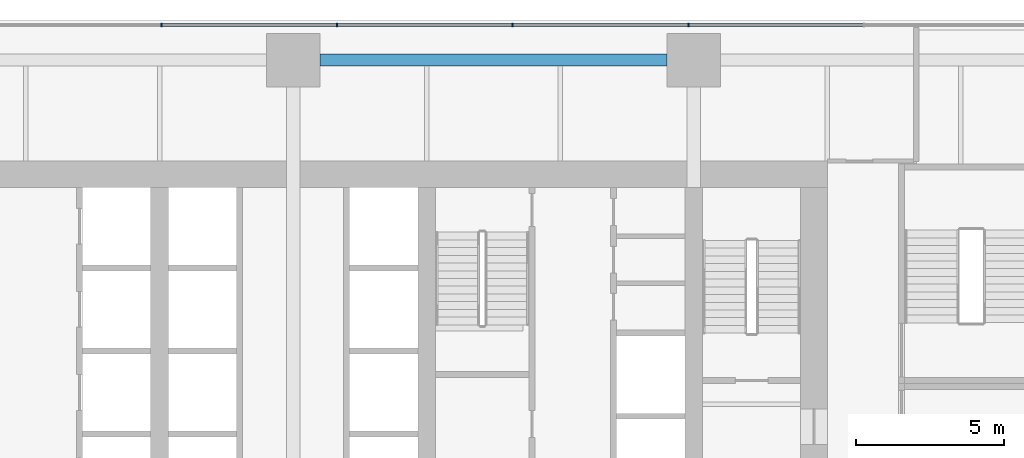
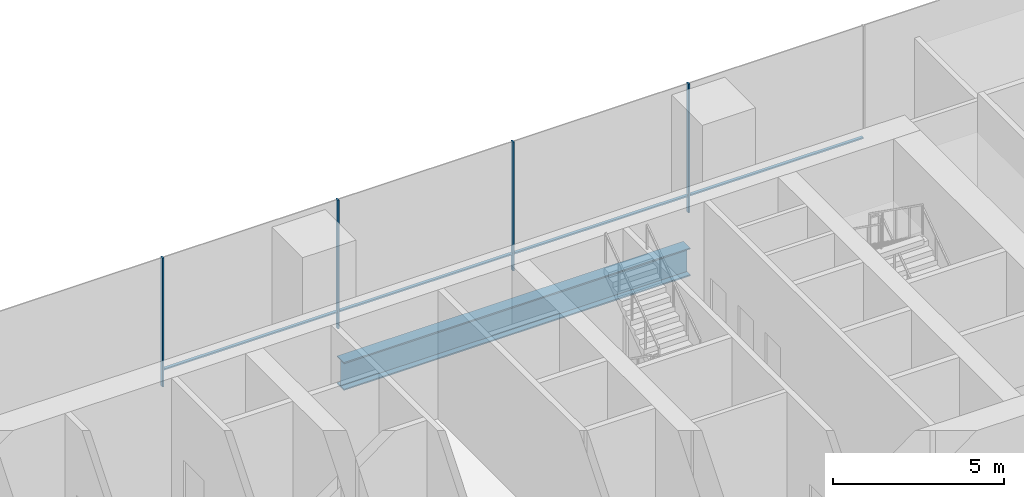
# One storey, part 13 of 29: 8 members, 1 beam, 1 element without a shape of its own.
"""IFC4 building model written with IfcOpenShell, lengths in metres."""

import ifcopenshell
import ifcopenshell.guid

model = None  # the IFC model being written
_history = None  # IfcOwnerHistory: only IFC2X3 demands one
_inside = {}  # id of a spatial element -> (the spatial element, [elements in it])
_under = {}  # id of a project, library or spatial element -> (it, [spatial elements below it])
_declared = {}  # id of a project -> (the project, [libraries it declares])
_typed = {}  # id of a type object -> (the type object, [elements of that type])
_made_of = {}  # id of a material, layer set ... -> (it, [elements and type objects made of it])


def new_model(schema):
    """Start an empty IFC model of exactly this schema.

    Asked for "IFC4X3", IfcOpenShell would pick the latest addendum, in which some entities
    have other attributes; the version numbers below select the first issue.
    IFC2X3 requires an IfcOwnerHistory on every rooted entity: one is made here for all.
    """
    global model, _history
    if schema == "IFC4X3":
        model = ifcopenshell.file(schema_version=(4, 3, 0, 0))
    else:
        model = ifcopenshell.file(schema=schema)
    _inside.clear()
    _under.clear()
    _declared.clear()
    _typed.clear()
    _made_of.clear()
    _history = None
    if model.schema == "IFC2X3":
        org = make("IfcOrganization", Name="unknown")
        user = make(
            "IfcPersonAndOrganization",
            ThePerson=make("IfcPerson", FamilyName="unknown"),
            TheOrganization=org,
        )
        app = make(
            "IfcApplication",
            ApplicationDeveloper=org,
            Version="unknown",
            ApplicationFullName="unknown",
            ApplicationIdentifier="unknown",
        )
        _history = make(
            "IfcOwnerHistory",
            OwningUser=user,
            OwningApplication=app,
            ChangeAction="ADDED",
            CreationDate=0,
        )
    return model


def make(cls, **values):
    """One entity of the class cls with the attributes given. An attribute that is None is left unset."""
    return model.create_entity(
        cls, **{name: value for name, value in values.items() if value is not None}
    )


def rooted(cls, **values):
    """An entity with a GlobalId (a new one), such as an element, a storey or a relation."""
    return make(cls, GlobalId=ifcopenshell.guid.new(), OwnerHistory=_history, **values)


def si_unit(unit_type, name, prefix=None):
    """IfcSIUnit, for example si_unit("LENGTHUNIT", "METRE", prefix="MILLI")."""
    return make("IfcSIUnit", UnitType=unit_type, Prefix=prefix, Name=name)


def assignment(units):
    """IfcUnitAssignment: the units of a project."""
    return None if units is None else make("IfcUnitAssignment", Units=units)


def point(xyz):
    """IfcCartesianPoint."""
    return None if xyz is None else make("IfcCartesianPoint", Coordinates=xyz)


def direction(xyz):
    """IfcDirection."""
    return None if xyz is None else make("IfcDirection", DirectionRatios=xyz)


def frame(location, z_axis=None, x_axis=None):
    """IfcAxis2Placement3D, a coordinate frame: its origin and axes. An axis left out is left unset."""
    return make(
        "IfcAxis2Placement3D",
        Location=point(location),
        Axis=direction(z_axis),
        RefDirection=direction(x_axis),
    )


def frame_2d(location, x_axis=None):
    """IfcAxis2Placement2D, a coordinate frame in the plane: its origin and x axis."""
    return make(
        "IfcAxis2Placement2D", Location=point(location), RefDirection=direction(x_axis)
    )


def origin():
    """The frame at (0, 0, 0) with its axes left unset."""
    return frame((0.0, 0.0, 0.0))


def origin_2d():
    """The frame at (0, 0) in the plane with its x axis left unset."""
    return frame_2d((0.0, 0.0))


def place(relative_to, where):
    """IfcLocalPlacement: puts the frame where relative to a parent placement (None: the world)."""
    return make(
        "IfcLocalPlacement", PlacementRelTo=relative_to, RelativePlacement=where
    )


def context(
    kind, dimensions, precision=None, world=None, true_north=None, identifier=None
):
    """IfcGeometricRepresentationContext, for example the 3D "Model" context."""
    return make(
        "IfcGeometricRepresentationContext",
        ContextIdentifier=identifier,
        ContextType=kind,
        CoordinateSpaceDimension=dimensions,
        Precision=precision,
        WorldCoordinateSystem=world,
        TrueNorth=true_north,
    )


def subcontext(parent, identifier, kind, view, scale=None):
    """IfcGeometricRepresentationSubContext, for example "Body" below "Model"."""
    return make(
        "IfcGeometricRepresentationSubContext",
        ContextIdentifier=identifier,
        ContextType=kind,
        ParentContext=parent,
        TargetScale=scale,
        TargetView=view,
    )


def project(units=None, contexts=None):
    """IfcProject with its units and contexts."""
    return rooted(
        "IfcProject",
        Name="project",
        RepresentationContexts=contexts,
        UnitsInContext=assignment(units),
    )


def spatial(cls, under=None, at=None, **own):
    """A site, building, storey or space (cls), placed at a placement, below another one or the project."""
    s = rooted(cls, ObjectPlacement=at, **own)
    if under is not None:
        _under.setdefault(under.id(), (under, []))[1].append(s)
    return s


def profile(cls, at=None, kind="AREA", **sizes):
    """A parametric profile (cls). Its sizes go by their IFC names, for example OverallWidth=200.0."""
    return make(cls, ProfileType=kind, Position=at, **sizes)


def rectangle(**sizes):
    """IfcRectangleProfileDef."""
    return profile("IfcRectangleProfileDef", **sizes)


def i_section(**sizes):
    """IfcIShapeProfileDef."""
    return profile("IfcIShapeProfileDef", **sizes)


def extrude(swept, where, along, depth):
    """IfcExtrudedAreaSolid: the profile swept, set in the frame where, extruded along a direction by depth."""
    return make(
        "IfcExtrudedAreaSolid",
        SweptArea=swept,
        Position=where,
        ExtrudedDirection=direction(along),
        Depth=depth,
    )


def shape(context_of_items, identifier, shape_type, items):
    """IfcShapeRepresentation: the items that make up one representation, for example the "Body"."""
    return make(
        "IfcShapeRepresentation",
        ContextOfItems=context_of_items,
        RepresentationIdentifier=identifier,
        RepresentationType=shape_type,
        Items=items,
    )


def material(Name=None, Category=None):
    """IfcMaterial."""
    return make("IfcMaterial", Name=Name, Category=Category)


def layer(
    of_material, thickness, ventilated=None, Name=None, Category=None, Priority=None
):
    """IfcMaterialLayer: one layer of a wall or slab, of a material (None: an air gap)."""
    return make(
        "IfcMaterialLayer",
        Material=of_material,
        LayerThickness=thickness,
        IsVentilated=ventilated,
        Name=Name,
        Category=Category,
        Priority=Priority,
    )


def layer_set(layers, Name=None):
    """IfcMaterialLayerSet."""
    return make("IfcMaterialLayerSet", MaterialLayers=layers, LayerSetName=Name)


def material_profile(
    of_material, cross_section, Name=None, Category=None, Priority=None
):
    """IfcMaterialProfile: a cross section and its material."""
    return make(
        "IfcMaterialProfile",
        Name=Name,
        Material=of_material,
        Profile=cross_section,
        Priority=Priority,
        Category=Category,
    )


def profile_set(profiles, Name=None, composite=None):
    """IfcMaterialProfileSet."""
    return make(
        "IfcMaterialProfileSet",
        Name=Name,
        MaterialProfiles=profiles,
        CompositeProfile=composite,
    )


def made_of(thing, what):
    """Note that an element or type object is made of a material, layer set ...; save() writes the relation."""
    if what is not None:
        _made_of.setdefault(what.id(), (what, []))[1].append(thing)
    return thing


def type_object(cls, material=None, **own):
    """A type object (cls), such as IfcWallType, which elements share."""
    return made_of(rooted(cls, **own), material)


def element(
    cls,
    number,
    at=None,
    inside=None,
    cuts=None,
    type_object=None,
    material=None,
    context=None,
    identifier="Body",
    shape_type=None,
    held_by="IfcProductDefinitionShape",
    body=None,
    shapes=None,
    **own,
):
    """One element of the class cls, such as IfcWall. Its Tag is "e" and its number.

    at: its placement. inside: the storey or other place that contains it. cuts: it is an
    opening in that element (IfcRelVoidsElement). A single representation is given by context,
    identifier, shape_type and body (its items); several are given by shapes. held_by: the class
    of the entity that holds the representations. save() writes the other relations.
    """
    e = rooted(cls, Tag="e%d" % number, ObjectPlacement=at, **own)
    if body is not None:
        shapes = [shape(context, identifier, shape_type, body)]
    if shapes is not None:
        e.Representation = make(held_by, Representations=shapes)
    if inside is not None:
        _inside.setdefault(inside.id(), (inside, []))[1].append(e)
    if cuts is not None:
        rooted(
            "IfcRelVoidsElement", RelatingBuildingElement=cuts, RelatedOpeningElement=e
        )
    if type_object is not None:
        _typed.setdefault(type_object.id(), (type_object, []))[1].append(e)
    return made_of(e, material)


def aggregate(whole, parts):
    """IfcRelAggregates: a whole, such as a stair, and the parts it consists of."""
    return rooted("IfcRelAggregates", RelatingObject=whole, RelatedObjects=parts)


def save(model, path):
    """Write the relations noted so far, then the file.

    IfcRelAggregates (storeys below a building ...), IfcRelContainedInSpatialStructure (elements
    in a storey), IfcRelDefinesByType, IfcRelAssociatesMaterial and IfcRelDeclares: one each for
    every whole, place, type object, material and project.
    """
    for whole, parts in _under.values():
        aggregate(whole, parts)
    for where, things in _inside.values():
        rooted(
            "IfcRelContainedInSpatialStructure",
            RelatedElements=things,
            RelatingStructure=where,
        )
    for kind, things in _typed.values():
        rooted("IfcRelDefinesByType", RelatedObjects=things, RelatingType=kind)
    for what, things in _made_of.values():
        rooted("IfcRelAssociatesMaterial", RelatedObjects=things, RelatingMaterial=what)
    for by, libraries in _declared.values():
        rooted("IfcRelDeclares", RelatingContext=by, RelatedDefinitions=libraries)
    model.write(path)


model = new_model("IFC4")

# Units and contexts
model_context = context("Model", 3, precision=1e-05, world=origin(), true_north=direction((0.0, 1.0)))
body_context = subcontext(model_context, "Body", "Model", "MODEL_VIEW")
ifc_project = project(units=[si_unit("LENGTHUNIT", "METRE"), si_unit("AREAUNIT", "SQUARE_METRE"), si_unit("VOLUMEUNIT", "CUBIC_METRE"), si_unit("PLANEANGLEUNIT", "RADIAN"), si_unit("MASSUNIT", "GRAM", prefix="KILO")], contexts=[model_context])

# Site, building, storey
site_placement = place(None, origin())
site = spatial("IfcSite", under=ifc_project, at=site_placement, CompositionType="ELEMENT")
building_placement = place(site_placement, origin())
building = spatial("IfcBuilding", under=site, at=building_placement, Name="Rattan Terrace Tower", CompositionType="ELEMENT")
storey_placement = place(building_placement, frame((0.0, 0.0, 12.60009765625)))
storey = spatial("IfcBuildingStorey", under=building, at=storey_placement, Name="L02", CompositionType="ELEMENT", Elevation=12.60009765625)

# Beam
ifc_material_1 = material(Name="Steel S460", Category="steel")
ifc_material_profile_1 = material_profile(ifc_material_1, i_section(OverallWidth=0.39990234375, OverallDepth=1.0, WebThickness=0.01806640625, FlangeThickness=0.044921875, at=origin_2d()), Name="PG 1000x400-18-45")
ifc_profile_set_1 = profile_set([ifc_material_profile_1], Name="Steel S460")
beam_type = type_object("IfcBeamType", Name="Frame podium girder PG 1000x400-18-45", PredefinedType="USERDEFINED", material=ifc_profile_set_1)
beam_placement = place(storey_placement, frame((0.89990234375, 10.89990234375, -0.7001953125), z_axis=(1.0, 0.0, 0.0), x_axis=(0.0, 1.0, 0.0)))
element("IfcBeam", 1, at=beam_placement, inside=storey, type_object=beam_type, Name="gdr-L02-049", ObjectType="PODIUM GIRDER", PredefinedType="USERDEFINED", context=body_context, shape_type="SweptSolid", body=[
    extrude(i_section(OverallWidth=0.39990234375, OverallDepth=1.0, WebThickness=0.01806640625, FlangeThickness=0.044921875, at=origin_2d()), origin(), (0.0, 0.0, 1.0), 11.7001953125),
])

# Curtain wall, members
ifc_material_2 = material(Name="Aluminium and glass", Category="aluminium")
ifc_layer = layer(ifc_material_2, 0.1201171875)
ifc_layer_set = layer_set([ifc_layer], Name="Station Storefront Curtain Wall")
curtain_wall_type = type_object("IfcCurtainWallType", Name="Station Storefront Curtain Wall", PredefinedType="NOTDEFINED", material=ifc_layer_set)
curtain_wall_placement = place(storey_placement, origin())
curtain_wall = element("IfcCurtainWall", 2, at=curtain_wall_placement, inside=storey, type_object=curtain_wall_type, Name="Storefront curtain wall L02-2", PredefinedType="NOTDEFINED")
ifc_material_3 = material(Name="Aluminium", Category="aluminium")
ifc_material_profile_2 = material_profile(ifc_material_3, rectangle(XDim=0.050048828125, YDim=0.1201171875, at=origin_2d()), Name="Aluminium 50x120")
ifc_profile_set_2 = profile_set([ifc_material_profile_2], Name="Aluminium")
member_type_1 = type_object("IfcMemberType", Name="Storefront CW Mullion 50x120", PredefinedType="MULLION", material=ifc_profile_set_2)
member_1_placement = place(storey_placement, frame((13.320068359375, 12.080078125, 0.0), z_axis=(0.0, 0.0, 1.0), x_axis=(-1.0, 0.0, 0.0)))
member_1 = element("IfcMember", 3, at=member_1_placement, type_object=member_type_1, Name="Mullion cwl-L02-002.5", PredefinedType="MULLION", context=body_context, shape_type="SweptSolid", body=[
    extrude(rectangle(XDim=0.050048828125, YDim=0.1201171875, at=origin_2d()), origin(), (0.0, 0.0, 1.0), 4.599853515625),
])
member_2_placement = place(storey_placement, frame((7.39990234375, 12.080078125, 0.0), z_axis=(0.0, 0.0, 1.0), x_axis=(-1.0, 0.0, 0.0)))
member_2 = element("IfcMember", 4, at=member_2_placement, type_object=member_type_1, Name="Mullion cwl-L02-002.6", PredefinedType="MULLION", context=body_context, shape_type="SweptSolid", body=[
    extrude(rectangle(XDim=0.050048828125, YDim=0.1201171875, at=origin_2d()), origin(), (0.0, 0.0, 1.0), 4.599853515625),
])
member_3_placement = place(storey_placement, frame((1.47998046875, 12.080078125, 0.0), z_axis=(0.0, 0.0, 1.0), x_axis=(-1.0, 0.0, 0.0)))
member_3 = element("IfcMember", 5, at=member_3_placement, type_object=member_type_1, Name="Mullion cwl-L02-002.7", PredefinedType="MULLION", context=body_context, shape_type="SweptSolid", body=[
    extrude(rectangle(XDim=0.050048828125, YDim=0.1201171875, at=origin_2d()), origin(), (0.0, 0.0, 1.0), 4.599853515625),
])
member_4_placement = place(storey_placement, frame((-4.43994140625, 12.080078125, 0.0), z_axis=(0.0, 0.0, 1.0), x_axis=(-1.0, 0.0, 0.0)))
member_4 = element("IfcMember", 6, at=member_4_placement, type_object=member_type_1, Name="Mullion cwl-L02-002.8", PredefinedType="MULLION", context=body_context, shape_type="SweptSolid", body=[
    extrude(rectangle(XDim=0.050048828125, YDim=0.1201171875, at=origin_2d()), origin(), (0.0, 0.0, 1.0), 4.599853515625),
])
ifc_material_4 = material(Name="Aluminium", Category="aluminium")
ifc_material_profile_3 = material_profile(ifc_material_4, rectangle(XDim=0.10009765625, YDim=0.050048828125, at=origin_2d()), Name="Aluminium 100x50")
ifc_profile_set_3 = profile_set([ifc_material_profile_3], Name="Aluminium")
member_type_2 = type_object("IfcMemberType", Name="Storefront CW Transom 100x50", PredefinedType="USERDEFINED", material=ifc_profile_set_3)
member_5_placement = place(storey_placement, frame((19.215087890625, 12.080078125, 0.599853515625), z_axis=(-1.0, 0.0, 0.0), x_axis=(0.0, -1.0, 0.0)))
member_5 = element("IfcMember", 7, at=member_5_placement, type_object=member_type_2, Name="Transom cwl-L02-002.4", ObjectType="TRANSOM", PredefinedType="USERDEFINED", context=body_context, shape_type="SweptSolid", body=[
    extrude(rectangle(XDim=0.10009765625, YDim=0.050048828125, at=origin_2d()), origin(), (0.0, 0.0, 1.0), 5.8701171875),
])
member_6_placement = place(storey_placement, frame((13.294921875, 12.080078125, 0.599853515625), z_axis=(-1.0, 0.0, 0.0), x_axis=(0.0, -1.0, 0.0)))
member_6 = element("IfcMember", 8, at=member_6_placement, type_object=member_type_2, Name="Transom cwl-L02-002.5", ObjectType="TRANSOM", PredefinedType="USERDEFINED", context=body_context, shape_type="SweptSolid", body=[
    extrude(rectangle(XDim=0.10009765625, YDim=0.050048828125, at=origin_2d()), origin(), (0.0, 0.0, 1.0), 5.869873046875),
])
member_7_placement = place(storey_placement, frame((7.375, 12.080078125, 0.599853515625), z_axis=(-1.0, 0.0, 0.0), x_axis=(0.0, -1.0, 0.0)))
member_7 = element("IfcMember", 9, at=member_7_placement, type_object=member_type_2, Name="Transom cwl-L02-002.6", ObjectType="TRANSOM", PredefinedType="USERDEFINED", context=body_context, shape_type="SweptSolid", body=[
    extrude(rectangle(XDim=0.10009765625, YDim=0.050048828125, at=origin_2d()), origin(), (0.0, 0.0, 1.0), 5.8701171875),
])
member_8_placement = place(storey_placement, frame((1.455078125, 12.080078125, 0.599853515625), z_axis=(-1.0, 0.0, 0.0), x_axis=(0.0, -1.0, 0.0)))
member_8 = element("IfcMember", 10, at=member_8_placement, type_object=member_type_2, Name="Transom cwl-L02-002.7", ObjectType="TRANSOM", PredefinedType="USERDEFINED", context=body_context, shape_type="SweptSolid", body=[
    extrude(rectangle(XDim=0.10009765625, YDim=0.050048828125, at=origin_2d()), origin(), (0.0, 0.0, 1.0), 5.8701171875),
])
aggregate(curtain_wall, [member_1, member_2, member_3, member_4, member_5, member_6, member_7, member_8])

save(model, "model.ifc")
